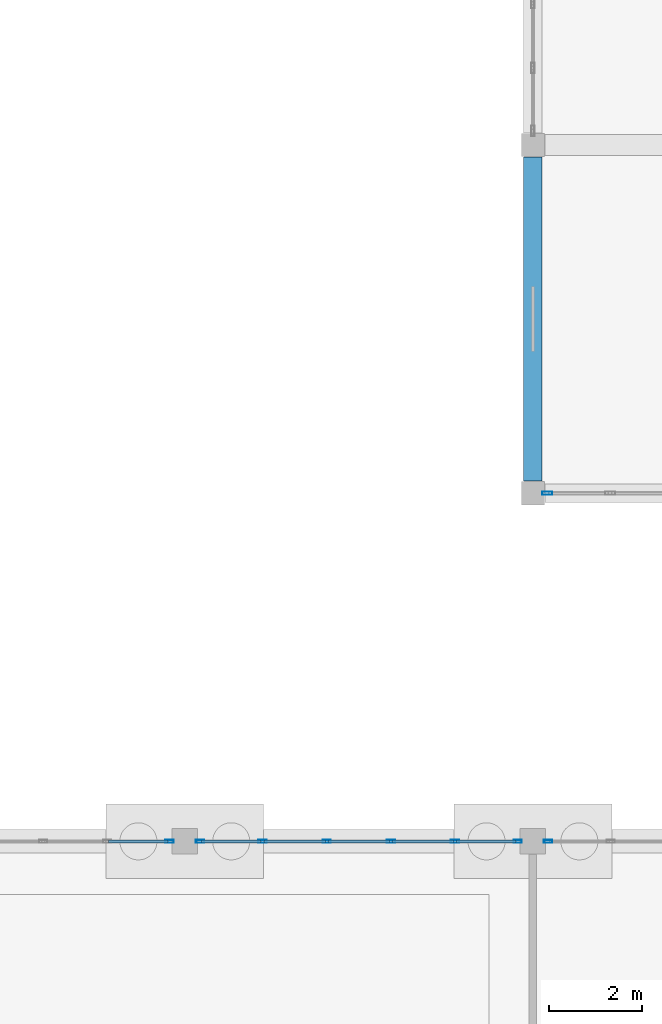
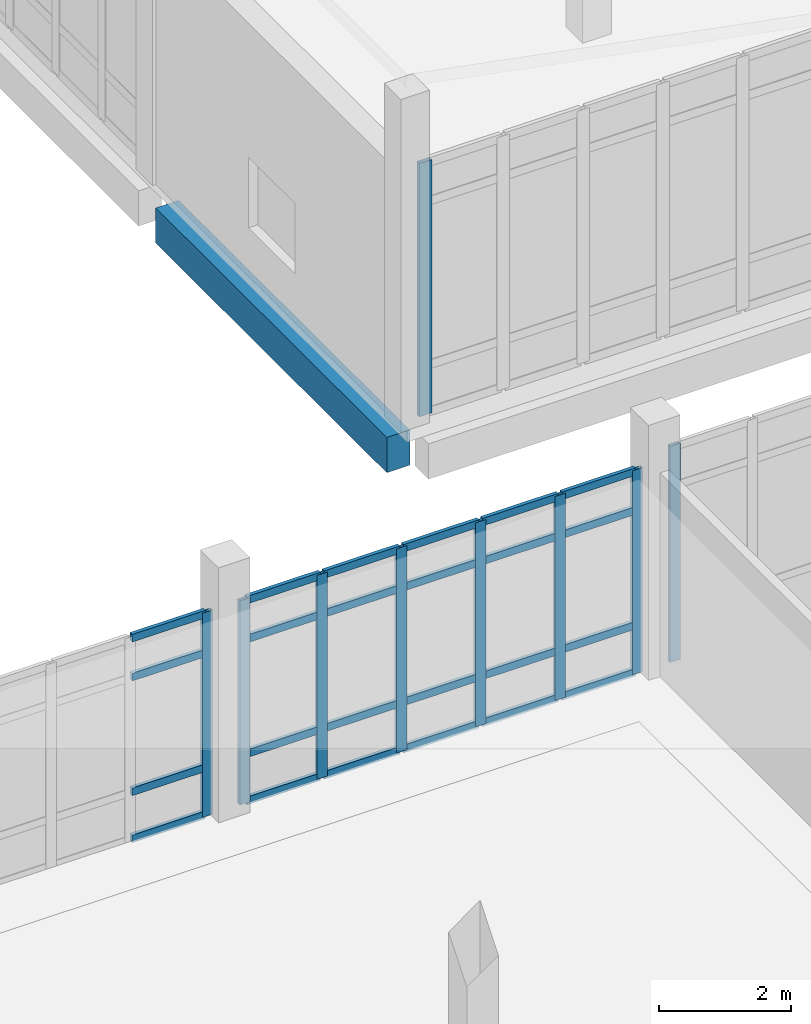
# One storey, part 58 of 173: 33 members, 1 beam, 4 elements without a shape of their own.
"""IFC4 building model written with IfcOpenShell, lengths in metres."""

from ifc_helpers import new_model, si_unit, direction, frame, origin, origin_2d, place, context, subcontext, project, spatial, rectangle, hollow_rectangle, extrude, material, layer, layer_set, material_profile, profile_set, type_object, element, aggregate, save


model = new_model("IFC4")

# Units and contexts
model_context = context("Model", 3, precision=1e-05, world=origin(), true_north=direction((0.0, 1.0)))
body_context = subcontext(model_context, "Body", "Model", "MODEL_VIEW")
ifc_project = project(units=[si_unit("LENGTHUNIT", "METRE"), si_unit("AREAUNIT", "SQUARE_METRE"), si_unit("VOLUMEUNIT", "CUBIC_METRE"), si_unit("PLANEANGLEUNIT", "RADIAN"), si_unit("MASSUNIT", "GRAM", prefix="KILO")], contexts=[model_context])

# Site, building, storey
site_placement = place(None, origin())
site = spatial("IfcSite", under=ifc_project, at=site_placement, CompositionType="ELEMENT")
building_placement = place(site_placement, origin())
building = spatial("IfcBuilding", under=site, at=building_placement, Name="Mawjan Specialist Oncology Clinic", CompositionType="ELEMENT")
storey_placement = place(building_placement, origin())
storey = spatial("IfcBuildingStorey", under=building, at=storey_placement, Name="L00", CompositionType="ELEMENT", Elevation=0.0)

# Curtain wall, member
ifc_material_1 = material(Name="Unitised spectrally selective aluminium curtain wall", Category="aluminium")
ifc_layer_1 = layer(ifc_material_1, 0.179931640625, Name="Unitised spectrally selective aluminium curtain wall", Category="aluminium")
ifc_layer_set_1 = layer_set([ifc_layer_1], Name="Unitised spectrally selective aluminium curtain wall")
curtain_wall_type_1 = type_object("IfcCurtainWallType", Name="CW-06", PredefinedType="NOTDEFINED", material=ifc_layer_set_1)
curtain_wall_1_placement = place(storey_placement, origin())
curtain_wall_1 = element("IfcCurtainWall", 1, at=curtain_wall_1_placement, inside=storey, type_object=curtain_wall_type_1, Name="L00 Unitised Curtain Wall CW-L00-011", PredefinedType="NOTDEFINED")
ifc_material_2 = material(Name="Thermally broken aluminium 6063-T6", Category="aluminium")
ifc_material_profile_1 = material_profile(ifc_material_2, hollow_rectangle(XDim=0.06494140625, YDim=0.179931640625, WallThickness=0.00390625, at=origin_2d()), Name="ALU MULLION 180x65x4", Category="aluminium")
ifc_profile_set_1 = profile_set([ifc_material_profile_1], Name="Thermally broken aluminium 6063-T6")
member_type_1 = type_object("IfcMemberType", Name="CW-M180", PredefinedType="MULLION", material=ifc_profile_set_1)
member_1_placement = place(storey_placement, frame((22.172607421875, 75.800048828125, 0.0), z_axis=(0.0, 0.0, 1.0), x_axis=(0.0, 1.0, 0.0)))
member_1 = element("IfcMember", 2, at=member_1_placement, type_object=member_type_1, Name="CW-06 mullion 6", PredefinedType="MULLION", context=body_context, shape_type="SweptSolid", body=[
    extrude(hollow_rectangle(XDim=0.06494140625, YDim=0.179931640625, WallThickness=0.00390625, at=origin_2d()), origin(), (0.0, 0.0, 1.0), 3.764892578125),
])

# Curtain wall, members
ifc_material_3 = material(Name="Unitised spectrally selective aluminium curtain wall", Category="aluminium")
ifc_layer_2 = layer(ifc_material_3, 0.179931640625, Name="Unitised spectrally selective aluminium curtain wall", Category="aluminium")
ifc_layer_set_2 = layer_set([ifc_layer_2], Name="Unitised spectrally selective aluminium curtain wall")
curtain_wall_type_2 = type_object("IfcCurtainWallType", Name="CW-07", PredefinedType="NOTDEFINED", material=ifc_layer_set_2)
curtain_wall_2_placement = place(storey_placement, origin())
curtain_wall_2 = element("IfcCurtainWall", 3, at=curtain_wall_2_placement, inside=storey, type_object=curtain_wall_type_2, Name="L00 Unitised Curtain Wall CW-L00-012", PredefinedType="NOTDEFINED")
member_2_placement = place(storey_placement, frame((22.827392578125, 75.800048828125, 0.0), z_axis=(0.0, 0.0, 1.0), x_axis=(0.0, 1.0, 0.0)))
member_2 = element("IfcMember", 4, at=member_2_placement, type_object=member_type_1, Name="CW-07 mullion 1", PredefinedType="MULLION", context=body_context, shape_type="SweptSolid", body=[
    extrude(hollow_rectangle(XDim=0.06494140625, YDim=0.179931640625, WallThickness=0.00390625, at=origin_2d()), origin(), (0.0, 0.0, 1.0), 3.764892578125),
])
member_3_placement = place(storey_placement, frame((24.177001953125, 75.800048828125, 0.0), z_axis=(0.0, 0.0, 1.0), x_axis=(0.0, 1.0, 0.0)))
member_3 = element("IfcMember", 5, at=member_3_placement, type_object=member_type_1, Name="CW-07 mullion 2", PredefinedType="MULLION", context=body_context, shape_type="SweptSolid", body=[
    extrude(hollow_rectangle(XDim=0.06494140625, YDim=0.179931640625, WallThickness=0.00390625, at=origin_2d()), origin(), (0.0, 0.0, 1.0), 3.764892578125),
])
member_4_placement = place(storey_placement, frame((25.55908203125, 75.800048828125, 0.0), z_axis=(0.0, 0.0, 1.0), x_axis=(0.0, 1.0, 0.0)))
member_4 = element("IfcMember", 6, at=member_4_placement, type_object=member_type_1, Name="CW-07 mullion 3", PredefinedType="MULLION", context=body_context, shape_type="SweptSolid", body=[
    extrude(hollow_rectangle(XDim=0.06494140625, YDim=0.179931640625, WallThickness=0.00390625, at=origin_2d()), origin(), (0.0, 0.0, 1.0), 3.764892578125),
])
member_5_placement = place(storey_placement, frame((26.94091796875, 75.800048828125, 0.0), z_axis=(0.0, 0.0, 1.0), x_axis=(0.0, 1.0, 0.0)))
member_5 = element("IfcMember", 7, at=member_5_placement, type_object=member_type_1, Name="CW-07 mullion 4", PredefinedType="MULLION", context=body_context, shape_type="SweptSolid", body=[
    extrude(hollow_rectangle(XDim=0.06494140625, YDim=0.179931640625, WallThickness=0.00390625, at=origin_2d()), origin(), (0.0, 0.0, 1.0), 3.764892578125),
])
member_6_placement = place(storey_placement, frame((28.322998046875, 75.800048828125, 0.0), z_axis=(0.0, 0.0, 1.0), x_axis=(0.0, 1.0, 0.0)))
member_6 = element("IfcMember", 8, at=member_6_placement, type_object=member_type_1, Name="CW-07 mullion 5", PredefinedType="MULLION", context=body_context, shape_type="SweptSolid", body=[
    extrude(hollow_rectangle(XDim=0.06494140625, YDim=0.179931640625, WallThickness=0.00390625, at=origin_2d()), origin(), (0.0, 0.0, 1.0), 3.764892578125),
])
member_7_placement = place(storey_placement, frame((29.672607421875, 75.800048828125, 0.0), z_axis=(0.0, 0.0, 1.0), x_axis=(0.0, 1.0, 0.0)))
member_7 = element("IfcMember", 9, at=member_7_placement, type_object=member_type_1, Name="CW-07 mullion 6", PredefinedType="MULLION", context=body_context, shape_type="SweptSolid", body=[
    extrude(hollow_rectangle(XDim=0.06494140625, YDim=0.179931640625, WallThickness=0.00390625, at=origin_2d()), origin(), (0.0, 0.0, 1.0), 3.764892578125),
])

# Curtain wall, member
ifc_material_4 = material(Name="Unitised spectrally selective aluminium curtain wall", Category="aluminium")
ifc_layer_3 = layer(ifc_material_4, 0.179931640625, Name="Unitised spectrally selective aluminium curtain wall", Category="aluminium")
ifc_layer_set_3 = layer_set([ifc_layer_3], Name="Unitised spectrally selective aluminium curtain wall")
curtain_wall_type_3 = type_object("IfcCurtainWallType", Name="CW-08", PredefinedType="NOTDEFINED", material=ifc_layer_set_3)
curtain_wall_3_placement = place(storey_placement, origin())
curtain_wall_3 = element("IfcCurtainWall", 10, at=curtain_wall_3_placement, inside=storey, type_object=curtain_wall_type_3, Name="L00 Unitised Curtain Wall CW-L00-013", PredefinedType="NOTDEFINED")
member_8_placement = place(storey_placement, frame((30.327392578125, 75.800048828125, 0.0), z_axis=(0.0, 0.0, 1.0), x_axis=(0.0, 1.0, 0.0)))
member_8 = element("IfcMember", 11, at=member_8_placement, type_object=member_type_1, Name="CW-08 mullion 1", PredefinedType="MULLION", context=body_context, shape_type="SweptSolid", body=[
    extrude(hollow_rectangle(XDim=0.06494140625, YDim=0.179931640625, WallThickness=0.00390625, at=origin_2d()), origin(), (0.0, 0.0, 1.0), 3.985107421875),
])
aggregate(curtain_wall_3, [member_8])

ifc_material_5 = material(Name="Unitised spectrally selective aluminium curtain wall", Category="aluminium")
ifc_layer_4 = layer(ifc_material_5, 0.179931640625, Name="Unitised spectrally selective aluminium curtain wall", Category="aluminium")
ifc_layer_set_4 = layer_set([ifc_layer_4], Name="Unitised spectrally selective aluminium curtain wall")
curtain_wall_type_4 = type_object("IfcCurtainWallType", Name="CW-11", PredefinedType="NOTDEFINED", material=ifc_layer_set_4)
curtain_wall_4_placement = place(storey_placement, origin())
curtain_wall_4 = element("IfcCurtainWall", 12, at=curtain_wall_4_placement, inside=storey, type_object=curtain_wall_type_4, Name="L00 Unitised Curtain Wall CW-L00-017", PredefinedType="NOTDEFINED")
ifc_material_6 = material(Name="Thermally broken aluminium 6063-T6", Category="aluminium")
ifc_material_profile_2 = material_profile(ifc_material_6, hollow_rectangle(XDim=0.070068359375, YDim=0.219970703125, WallThickness=0.00390625, at=origin_2d()), Name="ALU MULLION 220x70x4", Category="aluminium")
ifc_profile_set_2 = profile_set([ifc_material_profile_2], Name="Thermally broken aluminium 6063-T6")
member_type_2 = type_object("IfcMemberType", Name="CW-M220", PredefinedType="MULLION", material=ifc_profile_set_2)
member_9_placement = place(storey_placement, frame((30.304931640625, 83.300048828125, 0.0), z_axis=(0.0, 0.0, 1.0), x_axis=(0.0, -1.0, 0.0)))
member_9 = element("IfcMember", 13, at=member_9_placement, type_object=member_type_2, Name="CW-11 mullion 6", PredefinedType="MULLION", context=body_context, shape_type="SweptSolid", body=[
    extrude(hollow_rectangle(XDim=0.070068359375, YDim=0.219970703125, WallThickness=0.00390625, at=origin_2d()), origin(), (0.0, 0.0, 1.0), 4.669921875),
])
aggregate(curtain_wall_4, [member_9])

# Member
ifc_material_7 = material(Name="Thermally broken aluminium 6063-T6", Category="aluminium")
ifc_material_profile_3 = material_profile(ifc_material_7, hollow_rectangle(XDim=0.06494140625, YDim=0.139892578125, WallThickness=0.00390625, at=origin_2d()), Name="ALU TRANSOM 140x65x4", Category="aluminium")
ifc_profile_set_3 = profile_set([ifc_material_profile_3], Name="Thermally broken aluminium 6063-T6")
member_type_3 = type_object("IfcMemberType", Name="CW-T140", PredefinedType="USERDEFINED", material=ifc_profile_set_3)
member_10_placement = place(storey_placement, frame((20.860595703125, 75.800048828125, 0.032470703125), z_axis=(1.0, 0.0, 0.0), x_axis=(0.0, 1.0, 0.0)))
member_10 = element("IfcMember", 14, at=member_10_placement, type_object=member_type_3, Name="CW-06 transom 5.1", ObjectType="TRANSOM", PredefinedType="USERDEFINED", context=body_context, shape_type="SweptSolid", body=[
    extrude(hollow_rectangle(XDim=0.06494140625, YDim=0.139892578125, WallThickness=0.00390625, at=origin_2d()), origin(), (0.0, 0.0, 1.0), 1.279296875),
])

member_11_placement = place(storey_placement, frame((20.860595703125, 75.800048828125, 0.89990234375), z_axis=(1.0, 0.0, 0.0), x_axis=(0.0, 1.0, 0.0)))
member_11 = element("IfcMember", 15, at=member_11_placement, type_object=member_type_3, Name="CW-06 transom 5.2", ObjectType="TRANSOM", PredefinedType="USERDEFINED", context=body_context, shape_type="SweptSolid", body=[
    extrude(hollow_rectangle(XDim=0.06494140625, YDim=0.139892578125, WallThickness=0.00390625, at=origin_2d()), origin(), (0.0, 0.0, 1.0), 1.279296875),
])

member_12_placement = place(storey_placement, frame((20.860595703125, 75.800048828125, 3.014892578125), z_axis=(1.0, 0.0, 0.0), x_axis=(0.0, 1.0, 0.0)))
member_12 = element("IfcMember", 16, at=member_12_placement, type_object=member_type_3, Name="CW-06 transom 5.3", ObjectType="TRANSOM", PredefinedType="USERDEFINED", context=body_context, shape_type="SweptSolid", body=[
    extrude(hollow_rectangle(XDim=0.06494140625, YDim=0.139892578125, WallThickness=0.00390625, at=origin_2d()), origin(), (0.0, 0.0, 1.0), 1.279296875),
])

member_13_placement = place(storey_placement, frame((20.860595703125, 75.800048828125, 3.732421875), z_axis=(1.0, 0.0, 0.0), x_axis=(0.0, 1.0, 0.0)))
member_13 = element("IfcMember", 17, at=member_13_placement, type_object=member_type_3, Name="CW-06 transom 5.4", ObjectType="TRANSOM", PredefinedType="USERDEFINED", context=body_context, shape_type="SweptSolid", body=[
    extrude(hollow_rectangle(XDim=0.06494140625, YDim=0.139892578125, WallThickness=0.00390625, at=origin_2d()), origin(), (0.0, 0.0, 1.0), 1.279296875),
])

aggregate(curtain_wall_1, [member_1, member_10, member_11, member_12, member_13])

member_14_placement = place(storey_placement, frame((22.860107421875, 75.800048828125, 0.032470703125), z_axis=(1.0, 0.0, 0.0), x_axis=(0.0, 1.0, 0.0)))
member_14 = element("IfcMember", 18, at=member_14_placement, type_object=member_type_3, Name="CW-07 transom 1.1", ObjectType="TRANSOM", PredefinedType="USERDEFINED", context=body_context, shape_type="SweptSolid", body=[
    extrude(hollow_rectangle(XDim=0.06494140625, YDim=0.139892578125, WallThickness=0.00390625, at=origin_2d()), origin(), (0.0, 0.0, 1.0), 1.284423828125),
])

member_15_placement = place(storey_placement, frame((22.860107421875, 75.800048828125, 0.89990234375), z_axis=(1.0, 0.0, 0.0), x_axis=(0.0, 1.0, 0.0)))
member_15 = element("IfcMember", 19, at=member_15_placement, type_object=member_type_3, Name="CW-07 transom 1.2", ObjectType="TRANSOM", PredefinedType="USERDEFINED", context=body_context, shape_type="SweptSolid", body=[
    extrude(hollow_rectangle(XDim=0.06494140625, YDim=0.139892578125, WallThickness=0.00390625, at=origin_2d()), origin(), (0.0, 0.0, 1.0), 1.284423828125),
])

member_16_placement = place(storey_placement, frame((22.860107421875, 75.800048828125, 3.014892578125), z_axis=(1.0, 0.0, 0.0), x_axis=(0.0, 1.0, 0.0)))
member_16 = element("IfcMember", 20, at=member_16_placement, type_object=member_type_3, Name="CW-07 transom 1.3", ObjectType="TRANSOM", PredefinedType="USERDEFINED", context=body_context, shape_type="SweptSolid", body=[
    extrude(hollow_rectangle(XDim=0.06494140625, YDim=0.139892578125, WallThickness=0.00390625, at=origin_2d()), origin(), (0.0, 0.0, 1.0), 1.284423828125),
])

member_17_placement = place(storey_placement, frame((22.860107421875, 75.800048828125, 3.732421875), z_axis=(1.0, 0.0, 0.0), x_axis=(0.0, 1.0, 0.0)))
member_17 = element("IfcMember", 21, at=member_17_placement, type_object=member_type_3, Name="CW-07 transom 1.4", ObjectType="TRANSOM", PredefinedType="USERDEFINED", context=body_context, shape_type="SweptSolid", body=[
    extrude(hollow_rectangle(XDim=0.06494140625, YDim=0.139892578125, WallThickness=0.00390625, at=origin_2d()), origin(), (0.0, 0.0, 1.0), 1.284423828125),
])

member_18_placement = place(storey_placement, frame((24.20947265625, 75.800048828125, 0.032470703125), z_axis=(1.0, 0.0, 0.0), x_axis=(0.0, 1.0, 0.0)))
member_18 = element("IfcMember", 22, at=member_18_placement, type_object=member_type_3, Name="CW-07 transom 2.1", ObjectType="TRANSOM", PredefinedType="USERDEFINED", context=body_context, shape_type="SweptSolid", body=[
    extrude(hollow_rectangle(XDim=0.06494140625, YDim=0.139892578125, WallThickness=0.00390625, at=origin_2d()), origin(), (0.0, 0.0, 1.0), 1.317138671875),
])

member_19_placement = place(storey_placement, frame((24.20947265625, 75.800048828125, 0.89990234375), z_axis=(1.0, 0.0, 0.0), x_axis=(0.0, 1.0, 0.0)))
member_19 = element("IfcMember", 23, at=member_19_placement, type_object=member_type_3, Name="CW-07 transom 2.2", ObjectType="TRANSOM", PredefinedType="USERDEFINED", context=body_context, shape_type="SweptSolid", body=[
    extrude(hollow_rectangle(XDim=0.06494140625, YDim=0.139892578125, WallThickness=0.00390625, at=origin_2d()), origin(), (0.0, 0.0, 1.0), 1.317138671875),
])

member_20_placement = place(storey_placement, frame((24.20947265625, 75.800048828125, 3.014892578125), z_axis=(1.0, 0.0, 0.0), x_axis=(0.0, 1.0, 0.0)))
member_20 = element("IfcMember", 24, at=member_20_placement, type_object=member_type_3, Name="CW-07 transom 2.3", ObjectType="TRANSOM", PredefinedType="USERDEFINED", context=body_context, shape_type="SweptSolid", body=[
    extrude(hollow_rectangle(XDim=0.06494140625, YDim=0.139892578125, WallThickness=0.00390625, at=origin_2d()), origin(), (0.0, 0.0, 1.0), 1.317138671875),
])

member_21_placement = place(storey_placement, frame((24.20947265625, 75.800048828125, 3.732421875), z_axis=(1.0, 0.0, 0.0), x_axis=(0.0, 1.0, 0.0)))
member_21 = element("IfcMember", 25, at=member_21_placement, type_object=member_type_3, Name="CW-07 transom 2.4", ObjectType="TRANSOM", PredefinedType="USERDEFINED", context=body_context, shape_type="SweptSolid", body=[
    extrude(hollow_rectangle(XDim=0.06494140625, YDim=0.139892578125, WallThickness=0.00390625, at=origin_2d()), origin(), (0.0, 0.0, 1.0), 1.317138671875),
])

member_22_placement = place(storey_placement, frame((25.591552734375, 75.800048828125, 0.032470703125), z_axis=(1.0, 0.0, 0.0), x_axis=(0.0, 1.0, 0.0)))
member_22 = element("IfcMember", 26, at=member_22_placement, type_object=member_type_3, Name="CW-07 transom 3.1", ObjectType="TRANSOM", PredefinedType="USERDEFINED", context=body_context, shape_type="SweptSolid", body=[
    extrude(hollow_rectangle(XDim=0.06494140625, YDim=0.139892578125, WallThickness=0.00390625, at=origin_2d()), origin(), (0.0, 0.0, 1.0), 1.31689453125),
])

member_23_placement = place(storey_placement, frame((25.591552734375, 75.800048828125, 0.89990234375), z_axis=(1.0, 0.0, 0.0), x_axis=(0.0, 1.0, 0.0)))
member_23 = element("IfcMember", 27, at=member_23_placement, type_object=member_type_3, Name="CW-07 transom 3.2", ObjectType="TRANSOM", PredefinedType="USERDEFINED", context=body_context, shape_type="SweptSolid", body=[
    extrude(hollow_rectangle(XDim=0.06494140625, YDim=0.139892578125, WallThickness=0.00390625, at=origin_2d()), origin(), (0.0, 0.0, 1.0), 1.31689453125),
])

member_24_placement = place(storey_placement, frame((25.591552734375, 75.800048828125, 3.014892578125), z_axis=(1.0, 0.0, 0.0), x_axis=(0.0, 1.0, 0.0)))
member_24 = element("IfcMember", 28, at=member_24_placement, type_object=member_type_3, Name="CW-07 transom 3.3", ObjectType="TRANSOM", PredefinedType="USERDEFINED", context=body_context, shape_type="SweptSolid", body=[
    extrude(hollow_rectangle(XDim=0.06494140625, YDim=0.139892578125, WallThickness=0.00390625, at=origin_2d()), origin(), (0.0, 0.0, 1.0), 1.31689453125),
])

member_25_placement = place(storey_placement, frame((25.591552734375, 75.800048828125, 3.732421875), z_axis=(1.0, 0.0, 0.0), x_axis=(0.0, 1.0, 0.0)))
member_25 = element("IfcMember", 29, at=member_25_placement, type_object=member_type_3, Name="CW-07 transom 3.4", ObjectType="TRANSOM", PredefinedType="USERDEFINED", context=body_context, shape_type="SweptSolid", body=[
    extrude(hollow_rectangle(XDim=0.06494140625, YDim=0.139892578125, WallThickness=0.00390625, at=origin_2d()), origin(), (0.0, 0.0, 1.0), 1.31689453125),
])

member_26_placement = place(storey_placement, frame((26.973388671875, 75.800048828125, 0.032470703125), z_axis=(1.0, 0.0, 0.0), x_axis=(0.0, 1.0, 0.0)))
member_26 = element("IfcMember", 30, at=member_26_placement, type_object=member_type_3, Name="CW-07 transom 4.1", ObjectType="TRANSOM", PredefinedType="USERDEFINED", context=body_context, shape_type="SweptSolid", body=[
    extrude(hollow_rectangle(XDim=0.06494140625, YDim=0.139892578125, WallThickness=0.00390625, at=origin_2d()), origin(), (0.0, 0.0, 1.0), 1.317138671875),
])

member_27_placement = place(storey_placement, frame((26.973388671875, 75.800048828125, 0.89990234375), z_axis=(1.0, 0.0, 0.0), x_axis=(0.0, 1.0, 0.0)))
member_27 = element("IfcMember", 31, at=member_27_placement, type_object=member_type_3, Name="CW-07 transom 4.2", ObjectType="TRANSOM", PredefinedType="USERDEFINED", context=body_context, shape_type="SweptSolid", body=[
    extrude(hollow_rectangle(XDim=0.06494140625, YDim=0.139892578125, WallThickness=0.00390625, at=origin_2d()), origin(), (0.0, 0.0, 1.0), 1.317138671875),
])

member_28_placement = place(storey_placement, frame((26.973388671875, 75.800048828125, 3.014892578125), z_axis=(1.0, 0.0, 0.0), x_axis=(0.0, 1.0, 0.0)))
member_28 = element("IfcMember", 32, at=member_28_placement, type_object=member_type_3, Name="CW-07 transom 4.3", ObjectType="TRANSOM", PredefinedType="USERDEFINED", context=body_context, shape_type="SweptSolid", body=[
    extrude(hollow_rectangle(XDim=0.06494140625, YDim=0.139892578125, WallThickness=0.00390625, at=origin_2d()), origin(), (0.0, 0.0, 1.0), 1.317138671875),
])

member_29_placement = place(storey_placement, frame((26.973388671875, 75.800048828125, 3.732421875), z_axis=(1.0, 0.0, 0.0), x_axis=(0.0, 1.0, 0.0)))
member_29 = element("IfcMember", 33, at=member_29_placement, type_object=member_type_3, Name="CW-07 transom 4.4", ObjectType="TRANSOM", PredefinedType="USERDEFINED", context=body_context, shape_type="SweptSolid", body=[
    extrude(hollow_rectangle(XDim=0.06494140625, YDim=0.139892578125, WallThickness=0.00390625, at=origin_2d()), origin(), (0.0, 0.0, 1.0), 1.317138671875),
])

member_30_placement = place(storey_placement, frame((28.35546875, 75.800048828125, 0.032470703125), z_axis=(1.0, 0.0, 0.0), x_axis=(0.0, 1.0, 0.0)))
member_30 = element("IfcMember", 34, at=member_30_placement, type_object=member_type_3, Name="CW-07 transom 5.1", ObjectType="TRANSOM", PredefinedType="USERDEFINED", context=body_context, shape_type="SweptSolid", body=[
    extrude(hollow_rectangle(XDim=0.06494140625, YDim=0.139892578125, WallThickness=0.00390625, at=origin_2d()), origin(), (0.0, 0.0, 1.0), 1.284423828125),
])

member_31_placement = place(storey_placement, frame((28.35546875, 75.800048828125, 0.89990234375), z_axis=(1.0, 0.0, 0.0), x_axis=(0.0, 1.0, 0.0)))
member_31 = element("IfcMember", 35, at=member_31_placement, type_object=member_type_3, Name="CW-07 transom 5.2", ObjectType="TRANSOM", PredefinedType="USERDEFINED", context=body_context, shape_type="SweptSolid", body=[
    extrude(hollow_rectangle(XDim=0.06494140625, YDim=0.139892578125, WallThickness=0.00390625, at=origin_2d()), origin(), (0.0, 0.0, 1.0), 1.284423828125),
])

member_32_placement = place(storey_placement, frame((28.35546875, 75.800048828125, 3.014892578125), z_axis=(1.0, 0.0, 0.0), x_axis=(0.0, 1.0, 0.0)))
member_32 = element("IfcMember", 36, at=member_32_placement, type_object=member_type_3, Name="CW-07 transom 5.3", ObjectType="TRANSOM", PredefinedType="USERDEFINED", context=body_context, shape_type="SweptSolid", body=[
    extrude(hollow_rectangle(XDim=0.06494140625, YDim=0.139892578125, WallThickness=0.00390625, at=origin_2d()), origin(), (0.0, 0.0, 1.0), 1.284423828125),
])

member_33_placement = place(storey_placement, frame((28.35546875, 75.800048828125, 3.732421875), z_axis=(1.0, 0.0, 0.0), x_axis=(0.0, 1.0, 0.0)))
member_33 = element("IfcMember", 37, at=member_33_placement, type_object=member_type_3, Name="CW-07 transom 5.4", ObjectType="TRANSOM", PredefinedType="USERDEFINED", context=body_context, shape_type="SweptSolid", body=[
    extrude(hollow_rectangle(XDim=0.06494140625, YDim=0.139892578125, WallThickness=0.00390625, at=origin_2d()), origin(), (0.0, 0.0, 1.0), 1.284423828125),
])

aggregate(curtain_wall_2, [member_2, member_3, member_4, member_5, member_6, member_7, member_14, member_15, member_16, member_17, member_18, member_19, member_20, member_21, member_22, member_23, member_24, member_25, member_26, member_27, member_28, member_29, member_30, member_31, member_32, member_33])

# Beam
ifc_material_8 = material(Name="Concrete C45/55", Category="concrete")
ifc_material_profile_4 = material_profile(ifc_material_8, rectangle(XDim=0.39990234375, YDim=0.64990234375, at=origin_2d()), Name="RC BM 400x650", Category="concrete")
ifc_profile_set_4 = profile_set([ifc_material_profile_4], Name="Concrete C45/55")
beam_type = type_object("IfcBeamType", Name="SP-400x650", PredefinedType="SPANDREL", material=ifc_profile_set_4)
beam_placement = place(storey_placement, frame((30.0, 83.56005859375, -0.7451171875), z_axis=(0.0, 1.0, 0.0), x_axis=(-1.0, 0.0, 0.0)))
element("IfcBeam", 38, at=beam_placement, inside=storey, type_object=beam_type, Name="L00 Spandrel Beam BM-L00-0114", PredefinedType="SPANDREL", context=body_context, shape_type="SweptSolid", body=[
    extrude(rectangle(XDim=0.39990234375, YDim=0.64990234375, at=origin_2d()), origin(), (0.0, 0.0, 1.0), 6.97998046875),
])

save(model, "model.ifc")
